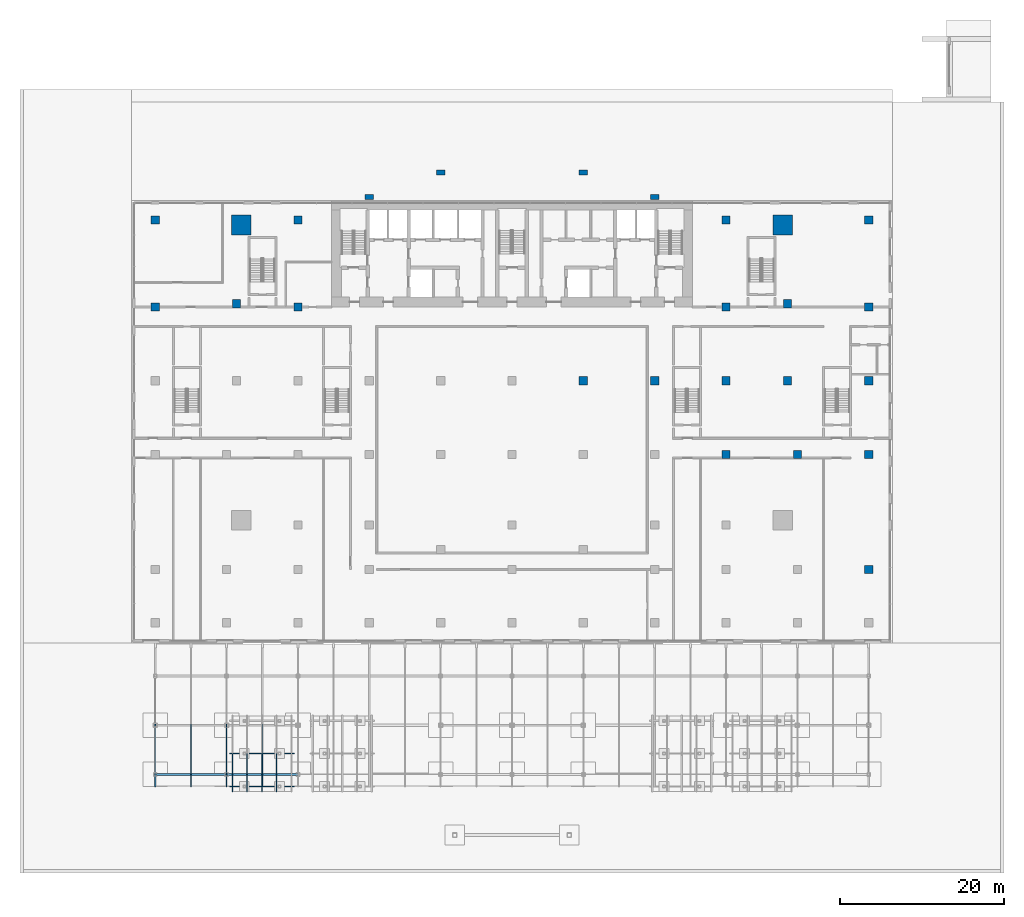
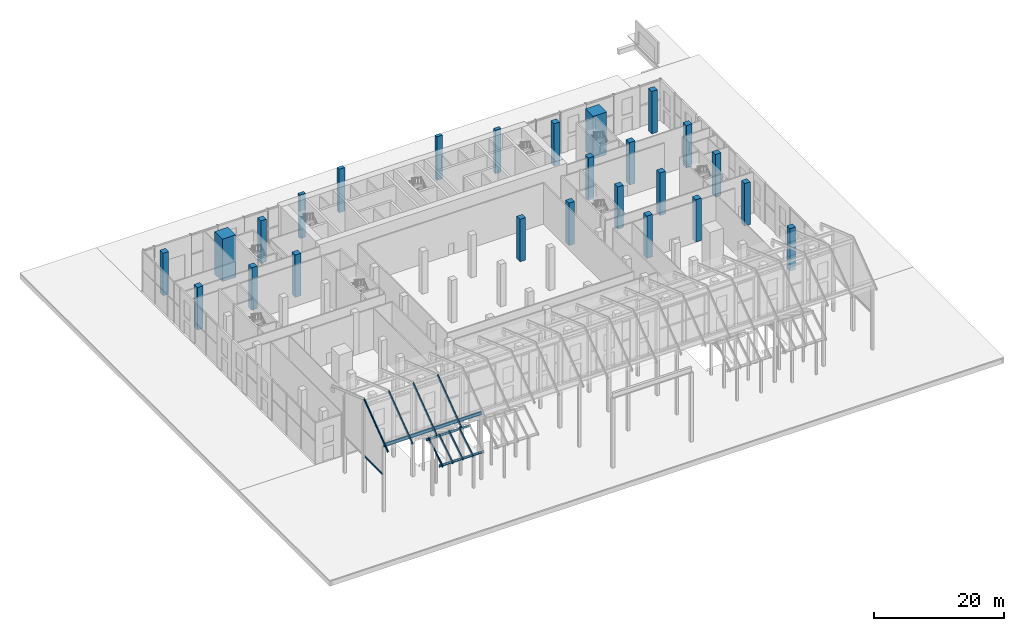
# One storey, part 7 of 31: 25 columns, 13 beams.
"""IFC4 building model written with IfcOpenShell, lengths in metres."""

from ifc_helpers import new_model, si_unit, direction, frame, origin, origin_2d, place, context, subcontext, project, spatial, rectangle, i_section, extrude, material, material_profile, profile_set, type_object, element, save


model = new_model("IFC4")

# Units and contexts
model_context = context("Model", 3, precision=1e-05, world=origin(), true_north=direction((0.0, 1.0)))
body_context = subcontext(model_context, "Body", "Model", "MODEL_VIEW")
ifc_project = project(units=[si_unit("LENGTHUNIT", "METRE"), si_unit("AREAUNIT", "SQUARE_METRE"), si_unit("VOLUMEUNIT", "CUBIC_METRE"), si_unit("PLANEANGLEUNIT", "RADIAN"), si_unit("MASSUNIT", "GRAM", prefix="KILO")], contexts=[model_context])

# Site, building, storey
site_placement = place(None, origin())
site = spatial("IfcSite", under=ifc_project, at=site_placement, CompositionType="ELEMENT")
building_placement = place(site_placement, origin())
building = spatial("IfcBuilding", under=site, at=building_placement, Name="Bicima Exchange Tower", CompositionType="ELEMENT")
storey_placement = place(building_placement, origin())
storey = spatial("IfcBuildingStorey", under=building, at=storey_placement, Name="L00", CompositionType="ELEMENT", Elevation=0.0)

# Columns
ifc_material_1 = material(Name="Concrete C60/75", Category="concrete")
ifc_material_profile_1 = material_profile(ifc_material_1, rectangle(XDim=2.39990234375, YDim=2.39990234375, at=origin_2d()))
ifc_profile_set_1 = profile_set([ifc_material_profile_1], Name="Concrete C60/75")
column_type_1 = type_object("IfcColumnType", Name="Reinforced concrete mega column 2400 x 2400", PredefinedType="COLUMN", material=ifc_profile_set_1)
for number, where, z_axis, x_axis, name in (
    (1, (-33.0, -3.0, 0.0), (0.0, 0.0, 1.0), (1.0, 0.0, 0.0), "Mega column"),
    (2, (33.0, -3.0, 0.0), (0.0, 0.0, 1.0), (1.0, 0.0, 0.0), "Mega column"),
):
    element("IfcColumn", number, at=place(storey_placement, frame(where, z_axis=z_axis, x_axis=x_axis)), inside=storey, type_object=column_type_1, Name=name, PredefinedType="COLUMN", context=body_context, shape_type="SweptSolid", body=[
        extrude(rectangle(XDim=2.39990234375, YDim=2.39990234375, at=origin_2d()), origin(), (0.0, 0.0, 1.0), 8.0),
    ])
ifc_material_profile_2 = material_profile(ifc_material_1, rectangle(XDim=1.0, YDim=1.0, at=origin_2d()))
ifc_profile_set_2 = profile_set([ifc_material_profile_2], Name="Concrete C60/75")
column_type_2 = type_object("IfcColumnType", Name="Reinforced concrete podium column 1000 x 1000", PredefinedType="COLUMN", material=ifc_profile_set_2)
for number, where, z_axis, x_axis, name in (
    (3, (-26.10009765625, -2.39990234375, 0.0), (0.0, 0.0, 1.0), (1.0, 0.0, 0.0), "Column"),
    (4, (26.10009765625, -2.39990234375, 0.0), (0.0, 0.0, 1.0), (1.0, 0.0, 0.0), "Column"),
    (5, (-33.60009765625, -12.60009765625, 0.0), (0.0, 0.0, 1.0), (1.0, 0.0, 0.0), "Column"),
    (6, (33.60009765625, -12.60009765625, 0.0), (0.0, 0.0, 1.0), (1.0, 0.0, 0.0), "Column"),
    (7, (33.60009765625, -22.0, 0.0), (0.0, 0.0, 1.0), (1.0, 0.0, 0.0), "Column"),
    (8, (8.699951171875, -22.0, 0.0), (0.0, 0.0, 1.0), (1.0, 0.0, 0.0), "Column"),
    (9, (17.39990234375, -22.0, 0.0), (0.0, 0.0, 1.0), (1.0, 0.0, 0.0), "Column"),
    (10, (26.10009765625, -22.0, 0.0), (0.0, 0.0, 1.0), (1.0, 0.0, 0.0), "Column"),
    (11, (-43.5, -2.39990234375, 0.0), (0.0, 0.0, 1.0), (1.0, 0.0, 0.0), "Column"),
    (12, (-43.5, -13.0, 0.0), (0.0, 0.0, 1.0), (1.0, 0.0, 0.0), "Column"),
    (13, (-26.10009765625, -13.0, 0.0), (0.0, 0.0, 1.0), (1.0, 0.0, 0.0), "Column"),
    (14, (26.10009765625, -13.0, 0.0), (0.0, 0.0, 1.0), (1.0, 0.0, 0.0), "Column"),
    (15, (26.10009765625, -31.0, 0.0), (0.0, 0.0, 1.0), (1.0, 0.0, 0.0), "Column"),
    (16, (34.800048828125, -31.0, 0.0), (0.0, 0.0, 1.0), (1.0, 0.0, 0.0), "Column"),
    (17, (43.5, -2.39990234375, 0.0), (0.0, 0.0, 1.0), (1.0, 0.0, 0.0), "Column"),
    (18, (43.5, -13.0, 0.0), (0.0, 0.0, 1.0), (1.0, 0.0, 0.0), "Column"),
    (19, (43.5, -22.0, 0.0), (0.0, 0.0, 1.0), (1.0, 0.0, 0.0), "Column"),
    (20, (43.5, -31.0, 0.0), (0.0, 0.0, 1.0), (1.0, 0.0, 0.0), "Column"),
    (21, (43.5, -45.0, 0.0), (0.0, 0.0, 1.0), (1.0, 0.0, 0.0), "Column"),
):
    element("IfcColumn", number, at=place(storey_placement, frame(where, z_axis=z_axis, x_axis=x_axis)), inside=storey, type_object=column_type_2, Name=name, PredefinedType="COLUMN", context=body_context, shape_type="SweptSolid", body=[
        extrude(rectangle(XDim=1.0, YDim=1.0, at=origin_2d()), origin(), (0.0, 0.0, 1.0), 8.0),
    ])
ifc_material_profile_3 = material_profile(ifc_material_1, rectangle(XDim=1.0, YDim=0.60009765625, at=origin_2d()))
ifc_profile_set_3 = profile_set([ifc_material_profile_3], Name="Concrete C60/75")
column_type_3 = type_object("IfcColumnType", Name="Reinforced concrete rear pilaster column 1000 x 600", PredefinedType="COLUMN", material=ifc_profile_set_3)
for number, where, z_axis, x_axis, name in (
    (22, (-8.699951171875, 3.39111328125, -0.199951171875), (0.0, 0.0, 1.0), (1.0, 0.0, 0.0), "Column"),
    (23, (-17.39990234375, 0.39990234375, -0.199951171875), (0.0, 0.0, 1.0), (1.0, 0.0, 0.0), "Column"),
    (24, (8.699951171875, 3.39111328125, -0.199951171875), (0.0, 0.0, 1.0), (1.0, 0.0, 0.0), "Column"),
    (25, (17.39990234375, 0.39990234375, -0.199951171875), (0.0, 0.0, 1.0), (1.0, 0.0, 0.0), "Column"),
):
    element("IfcColumn", number, at=place(storey_placement, frame(where, z_axis=z_axis, x_axis=x_axis)), inside=storey, type_object=column_type_3, Name=name, PredefinedType="COLUMN", context=body_context, shape_type="SweptSolid", body=[
        extrude(rectangle(XDim=1.0, YDim=0.60009765625, at=origin_2d()), origin(), (0.0, 0.0, 1.0), 8.199951171875),
    ])

# Beams
ifc_material_2 = material(Name="Steel ASTM A992 Gr 50", Category="steel")
ifc_material_profile_4 = material_profile(ifc_material_2, i_section(OverallWidth=0.140380859375, OverallDepth=0.40380859375, WebThickness=0.007080078125, FlangeThickness=0.01123046875, at=origin_2d()))
ifc_profile_set_4 = profile_set([ifc_material_profile_4], Name="Steel ASTM A992 Gr 50")
beam_type_1 = type_object("IfcBeamType", Name="Pavilion eaves girder W16x31", PredefinedType="BEAM", material=ifc_profile_set_4)
beam_1_placement = place(storey_placement, frame((-34.449951171875, -71.4599609375, 6.201904296875), z_axis=(1.0, 0.0, 0.0), x_axis=(0.0, 1.0, 0.0)))
element("IfcBeam", 26, at=beam_1_placement, inside=storey, type_object=beam_type_1, Name="Pavilion eaves girder", PredefinedType="BEAM", context=body_context, shape_type="SweptSolid", body=[
    extrude(i_section(OverallWidth=0.140380859375, OverallDepth=0.40380859375, WebThickness=0.007080078125, FlangeThickness=0.01123046875, at=origin_2d()), origin(), (0.0, 0.0, 1.0), 7.89990234375),
])
beam_type_2 = type_object("IfcBeamType", Name="Pavilion rafter W16x31", PredefinedType="BEAM", material=ifc_profile_set_4)
for number, where, z_axis, x_axis, name in (
    (27, (-34.10009765625, -67.56005859375, 9.122802734375), (0.0, -0.848039657914, -0.529932768004), (1.0, 0.0, 0.0), "Pavilion rafter"),
    (28, (-32.300048828125, -67.56005859375, 9.122802734375), (0.0, -0.848039657914, -0.529932768004), (1.0, 0.0, 0.0), "Pavilion rafter"),
    (29, (-30.5, -67.56005859375, 9.122802734375), (0.0, -0.848039657914, -0.529932768004), (1.0, 0.0, 0.0), "Pavilion rafter"),
    (30, (-28.699951171875, -67.56005859375, 9.122802734375), (0.0, -0.848039657914, -0.529932768004), (1.0, 0.0, 0.0), "Pavilion rafter"),
):
    element("IfcBeam", number, at=place(storey_placement, frame(where, z_axis=z_axis, x_axis=x_axis)), inside=storey, type_object=beam_type_2, Name=name, PredefinedType="BEAM", context=body_context, shape_type="SweptSolid", body=[
        extrude(i_section(OverallWidth=0.140380859375, OverallDepth=0.40380859375, WebThickness=0.007080078125, FlangeThickness=0.01123046875, at=origin_2d()), origin(), (0.0, 0.0, 1.0), 5.306396484375),
    ])
beam_type_3 = type_object("IfcBeamType", Name="Pavilion ridge girder W16x31", PredefinedType="BEAM", material=ifc_profile_set_4)
beam_2_placement = place(storey_placement, frame((-34.449951171875, -67.4599609375, 8.701416015625), z_axis=(1.0, 0.0, 0.0), x_axis=(0.0, 1.0, 0.0)))
element("IfcBeam", 31, at=beam_2_placement, inside=storey, type_object=beam_type_3, Name="Pavilion ridge girder", PredefinedType="BEAM", context=body_context, shape_type="SweptSolid", body=[
    extrude(i_section(OverallWidth=0.140380859375, OverallDepth=0.40380859375, WebThickness=0.007080078125, FlangeThickness=0.01123046875, at=origin_2d()), origin(), (0.0, 0.0, 1.0), 7.89990234375),
])
ifc_material_profile_5 = material_profile(ifc_material_2, i_section(OverallWidth=0.164794921875, OverallDepth=0.309814453125, WebThickness=0.005859375, FlangeThickness=0.009765625, at=origin_2d()))
ifc_profile_set_5 = profile_set([ifc_material_profile_5], Name="Steel ASTM A992 Gr 50")
beam_type_4 = type_object("IfcBeamType", Name="Portico end transom W12x26", PredefinedType="BEAM", material=ifc_profile_set_5)
beam_3_placement = place(storey_placement, frame((-43.5, -64.25390625, 6.84521484375), z_axis=(0.0, -1.0, 0.0), x_axis=(1.0, 0.0, 0.0)))
element("IfcBeam", 32, at=beam_3_placement, inside=storey, type_object=beam_type_4, Name="Portico end transom", PredefinedType="BEAM", context=body_context, shape_type="SweptSolid", body=[
    extrude(i_section(OverallWidth=0.164794921875, OverallDepth=0.309814453125, WebThickness=0.005859375, FlangeThickness=0.009765625, at=origin_2d()), origin(), (0.0, 0.0, 1.0), 5.54296875),
])
ifc_material_profile_6 = material_profile(ifc_material_2, i_section(OverallWidth=0.227783203125, OverallDepth=0.60205078125, WebThickness=0.010498046875, FlangeThickness=0.014892578125, at=origin_2d()))
ifc_profile_set_6 = profile_set([ifc_material_profile_6], Name="Steel ASTM A992 Gr 50")
beam_type_5 = type_object("IfcBeamType", Name="Portico girder W24x68", PredefinedType="BEAM", material=ifc_profile_set_6)
for number, where, z_axis, x_axis, name in (
    (33, (-43.5, -70.0, 12.410400390625), (1.0, 0.0, 0.0), (0.0, 1.0, 0.0), "Portico girder"),
    (34, (-34.800048828125, -70.0, 12.410400390625), (1.0, 0.0, 0.0), (0.0, 1.0, 0.0), "Portico girder"),
):
    element("IfcBeam", number, at=place(storey_placement, frame(where, z_axis=z_axis, x_axis=x_axis)), inside=storey, type_object=beam_type_5, Name=name, PredefinedType="BEAM", context=body_context, shape_type="SweptSolid", body=[
        extrude(i_section(OverallWidth=0.227783203125, OverallDepth=0.60205078125, WebThickness=0.010498046875, FlangeThickness=0.014892578125, at=origin_2d()), origin(), (0.0, 0.0, 1.0), 8.699951171875),
    ])
beam_type_6 = type_object("IfcBeamType", Name="Portico rafter W16x31", PredefinedType="BEAM", material=ifc_profile_set_4)
for number, where, z_axis, x_axis, name in (
    (35, (-43.5, -64.0, 17.53125), (0.0, -0.800969313172, -0.598705402812), (1.0, 0.0, 0.0), "Portico rafter"),
    (36, (-39.14990234375, -64.0, 17.53125), (0.0, -0.800969313172, -0.598705402812), (1.0, 0.0, 0.0), "Portico rafter"),
    (37, (-34.800048828125, -64.0, 17.53125), (0.0, -0.800969313172, -0.598705402812), (1.0, 0.0, 0.0), "Portico rafter"),
    (38, (-30.449951171875, -64.0, 17.53125), (0.0, -0.800969313172, -0.598705402812), (1.0, 0.0, 0.0), "Portico rafter"),
):
    element("IfcBeam", number, at=place(storey_placement, frame(where, z_axis=z_axis, x_axis=x_axis)), inside=storey, type_object=beam_type_6, Name=name, PredefinedType="BEAM", context=body_context, shape_type="SweptSolid", body=[
        extrude(i_section(OverallWidth=0.140380859375, OverallDepth=0.40380859375, WebThickness=0.007080078125, FlangeThickness=0.01123046875, at=origin_2d()), origin(), (0.0, 0.0, 1.0), 9.23876953125),
    ])

save(model, "model.ifc")
